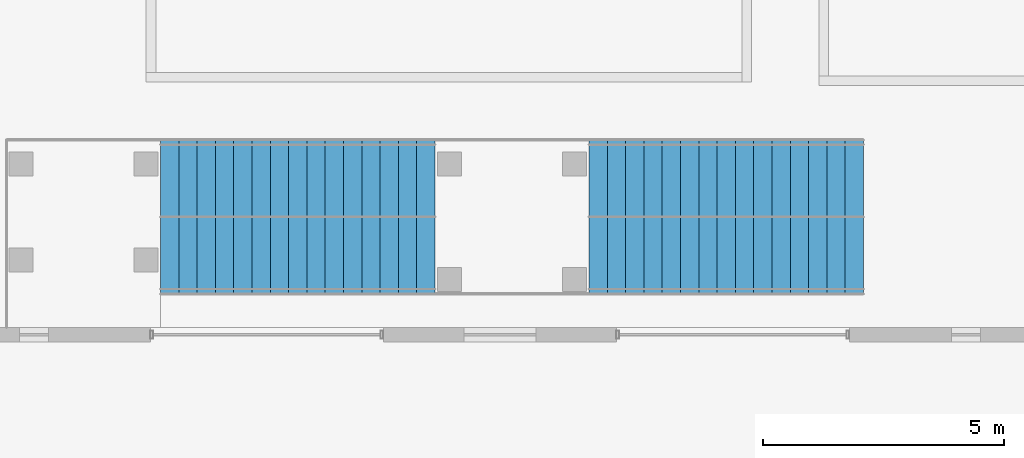
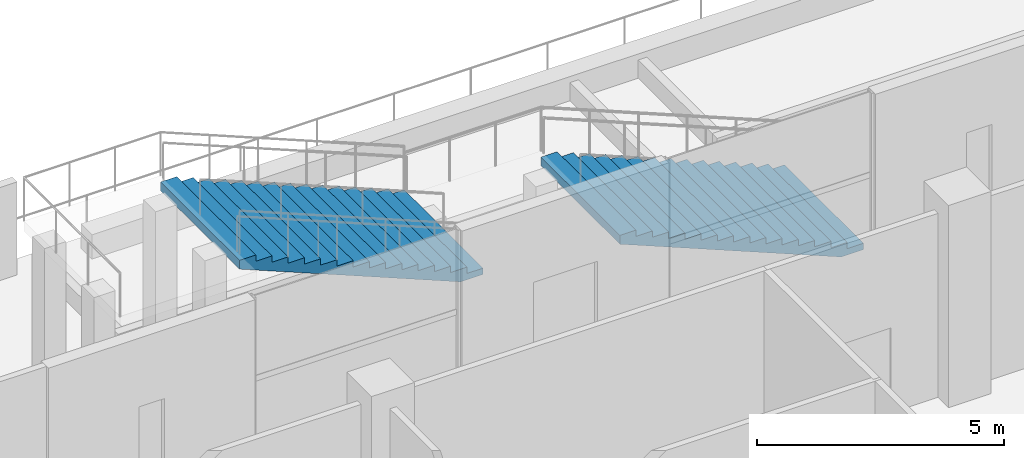
# One storey, part 43 of 49: 2 stair flights, 1 element without a shape of its own.
"""IFC4 building model written with IfcOpenShell, lengths in metres."""

from ifc_helpers import new_model, si_unit, direction, frame, origin, place, context, subcontext, project, spatial, polyline, outline, extrude, material, type_object, element, aggregate, save


model = new_model("IFC4")

# Units and contexts
model_context = context("Model", 3, precision=1e-05, world=origin(), true_north=direction((0.0, 1.0)))
body_context = subcontext(model_context, "Body", "Model", "MODEL_VIEW")
ifc_project = project(units=[si_unit("LENGTHUNIT", "METRE"), si_unit("AREAUNIT", "SQUARE_METRE"), si_unit("VOLUMEUNIT", "CUBIC_METRE"), si_unit("PLANEANGLEUNIT", "RADIAN"), si_unit("MASSUNIT", "GRAM", prefix="KILO")], contexts=[model_context])

# Site, building, storey
site_placement = place(None, origin())
site = spatial("IfcSite", under=ifc_project, at=site_placement, CompositionType="ELEMENT")
building_placement = place(site_placement, origin())
building = spatial("IfcBuilding", under=site, at=building_placement, Name="Altepetl Exchange Towers", CompositionType="ELEMENT")
storey_placement = place(building_placement, frame((0.0, 0.0, 11.5)))
storey = spatial("IfcBuildingStorey", under=building, at=storey_placement, Name="L02 Exchange podium", CompositionType="ELEMENT", Elevation=11.5)

# Stair, stair flights
ifc_material = material(Name="Reinforced concrete C35/45", Category="concrete")
stair_type = type_object("IfcStairType", Name="Exit garden steps 3200", PredefinedType="TWO_STRAIGHT_RUN_STAIR", material=ifc_material)
stair_placement = place(storey_placement, origin())
stair = element("IfcStair", 1, at=stair_placement, inside=storey, type_object=stair_type, Name="ST-G14 exit garden steps", PredefinedType="TWO_STRAIGHT_RUN_STAIR")
stair_flight_type = type_object("IfcStairFlightType", Name="Exit garden steps flight 3200", PredefinedType="STRAIGHT", material=ifc_material)
stair_flight_1_placement = place(storey_placement, frame((108.89990234375, 83.300048828125, 2.5), z_axis=(0.0, 0.0, 1.0), x_axis=(-1.0, 0.0, 0.0)))
stair_flight_1 = element("IfcStairFlight", 2, at=stair_flight_1_placement, type_object=stair_flight_type, Name="ST-G14 flight 1", NumberOfRisers=16, NumberOfTreads=15, PredefinedType="STRAIGHT", RiserHeight=0.15625, TreadLength=0.38, context=body_context, shape_type="SweptSolid", body=[
    extrude(outline(polyline([(0.0, 0.0), (0.0, 0.15625), (0.3798828125, 0.15625), (0.3798828125, 0.3125), (0.760009765625, 0.3125), (0.760009765625, 0.46875), (1.139892578125, 0.46875), (1.139892578125, 0.625), (1.52001953125, 0.625), (1.52001953125, 0.78125), (1.89990234375, 0.78125), (1.89990234375, 0.9375), (2.280029296875, 0.9375), (2.280029296875, 1.09375), (2.659912109375, 1.09375), (2.659912109375, 1.25), (3.0400390625, 1.25), (3.0400390625, 1.40625), (3.419921875, 1.40625), (3.419921875, 1.5625), (3.800048828125, 1.5625), (3.800048828125, 1.71875), (4.179931640625, 1.71875), (4.179931640625, 1.875), (4.56005859375, 1.875), (4.56005859375, 2.03125), (4.93994140625, 2.03125), (4.93994140625, 2.1875), (5.320068359375, 2.1875), (5.320068359375, 2.34375), (5.699951171875, 2.34375), (5.699951171875, 2.5), (5.699951171875, 2.12744140625), (0.52587890625, 0.0), (0.0, 0.0)])), frame((0.0, 1.60009765625, 0.0), z_axis=(0.0, -1.0, 0.0), x_axis=(1.0, 0.0, 0.0)), (0.0, 0.0, 1.0), 3.199951171875),
])
stair_flight_2_placement = place(storey_placement, frame((117.800048828125, 83.300048828125, 0.0), z_axis=(0.0, 0.0, 1.0), x_axis=(-1.0, 0.0, 0.0)))
stair_flight_2 = element("IfcStairFlight", 3, at=stair_flight_2_placement, type_object=stair_flight_type, Name="ST-G14 flight 2", NumberOfRisers=16, NumberOfTreads=15, PredefinedType="STRAIGHT", RiserHeight=0.15625, TreadLength=0.38, context=body_context, shape_type="SweptSolid", body=[
    extrude(outline(polyline([(0.0, 0.0), (0.0, 0.15625), (0.3798828125, 0.15625), (0.3798828125, 0.3125), (0.760009765625, 0.3125), (0.760009765625, 0.46875), (1.139892578125, 0.46875), (1.139892578125, 0.625), (1.52001953125, 0.625), (1.52001953125, 0.78125), (1.89990234375, 0.78125), (1.89990234375, 0.9375), (2.280029296875, 0.9375), (2.280029296875, 1.09375), (2.659912109375, 1.09375), (2.659912109375, 1.25), (3.0400390625, 1.25), (3.0400390625, 1.40625), (3.419921875, 1.40625), (3.419921875, 1.5625), (3.800048828125, 1.5625), (3.800048828125, 1.71875), (4.179931640625, 1.71875), (4.179931640625, 1.875), (4.56005859375, 1.875), (4.56005859375, 2.03125), (4.93994140625, 2.03125), (4.93994140625, 2.1875), (5.320068359375, 2.1875), (5.320068359375, 2.34375), (5.699951171875, 2.34375), (5.699951171875, 2.5), (5.699951171875, 2.12744140625), (0.52587890625, 0.0), (0.0, 0.0)])), frame((0.0, 1.60009765625, 0.0), z_axis=(0.0, -1.0, 0.0), x_axis=(1.0, 0.0, 0.0)), (0.0, 0.0, 1.0), 3.199951171875),
])
aggregate(stair, [stair_flight_1, stair_flight_2])

save(model, "model.ifc")
